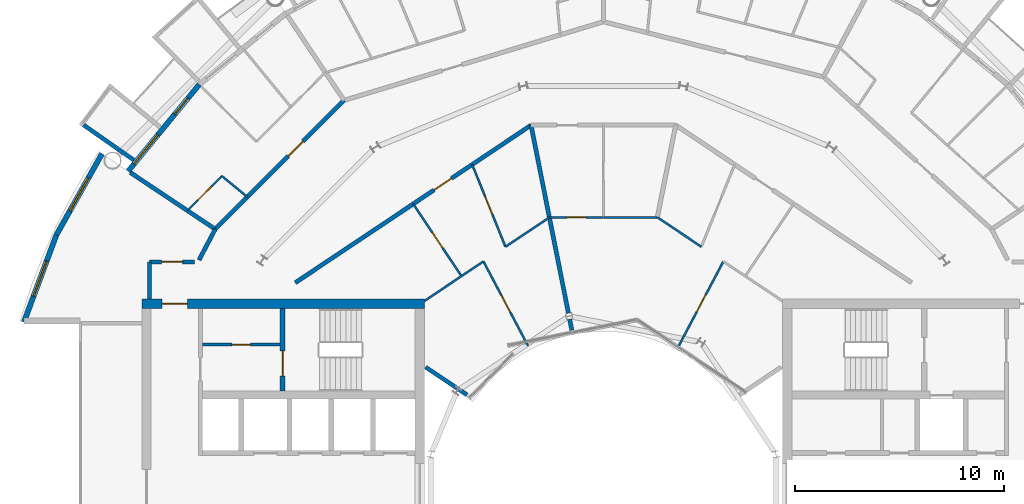
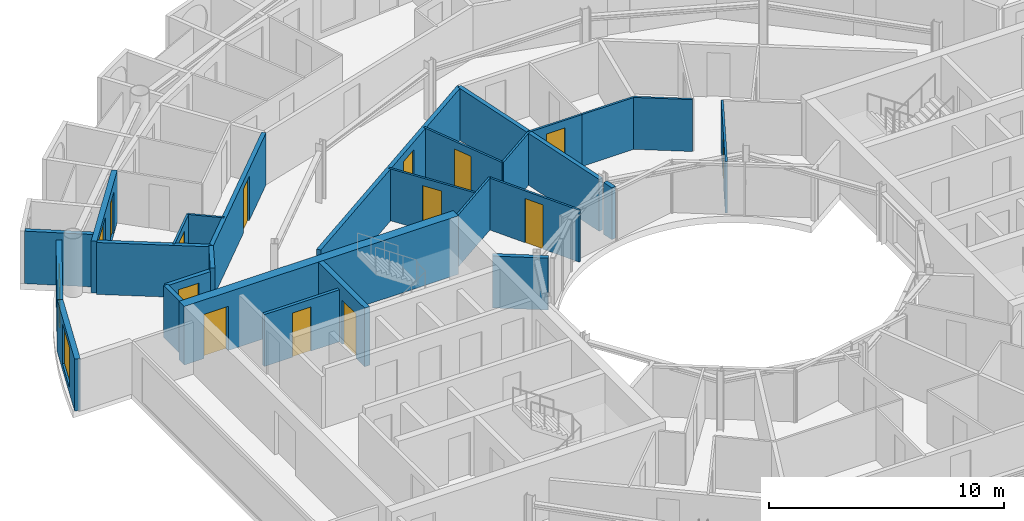
# One storey, part 20 of 28: 27 walls, 13 doors, 3 windows, 16 openings.
"""IFC4 building model written with IfcOpenShell, lengths in metres."""

from ifc_helpers import new_model, si_unit, direction, frame, frame_2d, origin, place, context, subcontext, project, spatial, rectangle, extrude, material, layer, layer_set, type_object, element, fill, save


model = new_model("IFC4")

# Units and contexts
model_context = context("Model", 3, precision=1e-05, world=origin(), true_north=direction((0.0, 1.0)))
body_context = subcontext(model_context, "Body", "Model", "MODEL_VIEW")
ifc_project = project(units=[si_unit("LENGTHUNIT", "METRE"), si_unit("AREAUNIT", "SQUARE_METRE"), si_unit("VOLUMEUNIT", "CUBIC_METRE"), si_unit("PLANEANGLEUNIT", "RADIAN"), si_unit("MASSUNIT", "GRAM", prefix="KILO")], contexts=[model_context])

# Site, building, storey
site_placement = place(None, origin())
site = spatial("IfcSite", under=ifc_project, at=site_placement, CompositionType="ELEMENT")
building_placement = place(site_placement, origin())
building = spatial("IfcBuilding", under=site, at=building_placement, Name="Maasbend Ring Residences", CompositionType="ELEMENT")
storey_placement = place(building_placement, frame((0.0, 0.0, 196.300048828125)))
storey = spatial("IfcBuildingStorey", under=building, at=storey_placement, Name="L56", CompositionType="ELEMENT", Elevation=196.300048828125)

# Wall, opening, door
ifc_material_1 = material(Name="Concrete C50/60", Category="concrete")
ifc_layer_1 = layer(ifc_material_1, 0.25)
ifc_layer_set_1 = layer_set([ifc_layer_1], Name="Concrete C50/60")
wall_type_1 = type_object("IfcWallType", Name="CORE WALL 250 C50/60", PredefinedType="SHEAR", material=ifc_layer_set_1)
wall_1_placement = place(storey_placement, frame((-15.324951171875, 8.60009765625, 0.0), z_axis=(0.0, 0.0, 1.0), x_axis=(0.0, -1.0, 0.0)))
wall_1 = element("IfcWall", 1, at=wall_1_placement, inside=storey, type_object=wall_type_1, Name="L56 core W wall STES", PredefinedType="SHEAR", context=body_context, shape_type="SweptSolid", body=[
    extrude(rectangle(XDim=3.9501953125, YDim=0.25, at=frame_2d((1.97509765625, 0.0))), origin(), (0.0, 0.0, 1.0), 3.050048828125),
])
opening_1_placement = place(wall_1_placement, frame((2.02490234375, 0.0, 0.0)))
opening_1 = element("IfcOpeningElement", 2, at=opening_1_placement, cuts=wall_1, Name="Opening D-W5610", PredefinedType="OPENING", context=body_context, shape_type="SweptSolid", body=[
    extrude(rectangle(XDim=1.199951171875, YDim=2.300048828125, at=frame_2d((0.60009765625, 1.14990234375))), frame((0.0, 0.135009765625, 0.0), z_axis=(0.0, -1.0, 0.0), x_axis=(1.0, 0.0, 0.0)), (0.0, 0.0, 1.0), 0.27001953125),
])
ifc_material_2 = material(Name="Steel, powder coated", Category="steel")
door_type_1 = type_object("IfcDoorType", Name="STAIR DOOR 1200 X 2300 FD60", OperationType="NOTDEFINED", PredefinedType="DOOR", material=ifc_material_2)
door_1_placement = place(opening_1_placement, origin())
door_1 = element("IfcDoor", 3, at=door_1_placement, inside=storey, type_object=door_type_1, Name="Stair door ST-W L56", OperationType="SINGLE_SWING_LEFT", OverallHeight=2.300048828125, OverallWidth=1.199951171875, PredefinedType="DOOR", context=body_context, shape_type="SweptSolid", body=[
    extrude(rectangle(XDim=1.199951171875, YDim=2.300048828125, at=frame_2d((0.60009765625, 1.14990234375))), frame((0.0, 0.02490234375, 0.0), z_axis=(0.0, -1.0, 0.0), x_axis=(1.0, 0.0, 0.0)), (0.0, 0.0, 1.0), 0.050048828125),
])
fill(opening_1, door_1)

ifc_material_3 = material(Name="Concrete C50/60", Category="concrete")
ifc_layer_2 = layer(ifc_material_3, 0.449951171875)
ifc_layer_set_2 = layer_set([ifc_layer_2], Name="Concrete C50/60")
wall_type_2 = type_object("IfcWallType", Name="CORE WALL 450 C50/60", PredefinedType="SHEAR", material=ifc_layer_set_2)
wall_2_placement = place(storey_placement, frame((-8.550048828125, 8.824951171875, 0.0), z_axis=(0.0, 0.0, 1.0), x_axis=(-1.0, 0.0, 0.0)))
wall_2 = element("IfcWall", 4, at=wall_2_placement, inside=storey, type_object=wall_type_2, Name="L56 core W wall PS", PredefinedType="SHEAR", context=body_context, shape_type="SweptSolid", body=[
    extrude(rectangle(XDim=13.5, YDim=0.449951171875, at=frame_2d((6.75, 0.0))), origin(), (0.0, 0.0, 1.0), 3.050048828125),
])
opening_2_placement = place(wall_2_placement, frame((11.324951171875, 0.0, 0.0)))
opening_2 = element("IfcOpeningElement", 5, at=opening_2_placement, cuts=wall_2, Name="Opening D-W5614", PredefinedType="OPENING", context=body_context, shape_type="SweptSolid", body=[
    extrude(rectangle(XDim=1.199951171875, YDim=2.300048828125, at=frame_2d((0.60009765625, 1.14990234375))), frame((0.0, 0.23486328125, 0.0), z_axis=(0.0, -1.0, 0.0), x_axis=(1.0, 0.0, 0.0)), (0.0, 0.0, 1.0), 0.469970703125),
])
ifc_material_4 = material(Name="Steel, powder coated", Category="steel")
door_type_2 = type_object("IfcDoorType", Name="CORRIDOR DOOR 1200 X 2300 FD30S", OperationType="NOTDEFINED", PredefinedType="DOOR", material=ifc_material_4)
door_2_placement = place(opening_2_placement, origin())
door_2 = element("IfcDoor", 6, at=door_2_placement, inside=storey, type_object=door_type_2, Name="Corridor door L56", OperationType="SINGLE_SWING_LEFT", OverallHeight=2.300048828125, OverallWidth=1.199951171875, PredefinedType="DOOR", context=body_context, shape_type="SweptSolid", body=[
    extrude(rectangle(XDim=1.199951171875, YDim=2.300048828125, at=frame_2d((0.60009765625, 1.14990234375))), frame((0.0, 0.02490234375, 0.0), z_axis=(0.0, -1.0, 0.0), x_axis=(1.0, 0.0, 0.0)), (0.0, 0.0, 1.0), 0.050048828125),
])
fill(opening_2, door_2)

ifc_material_5 = material(Name="Concrete C30/37", Category="concrete")
ifc_layer_3 = layer(ifc_material_5, 0.199951171875)
ifc_layer_set_3 = layer_set([ifc_layer_3], Name="Concrete C30/37")
wall_type_3 = type_object("IfcWallType", Name="CORRIDOR WALL 200 CONCRETE", PredefinedType="PARTITIONING", material=ifc_layer_set_3)
wall_3_placement = place(storey_placement, frame((-21.675048828125, 10.824951171875, 0.0), z_axis=(0.0, 0.0, 1.0), x_axis=(1.0, 0.0, 0.0)))
wall_3 = element("IfcWall", 7, at=wall_3_placement, inside=storey, type_object=wall_type_3, Name="U-L56-w092", PredefinedType="PARTITIONING", context=body_context, shape_type="SweptSolid", body=[
    extrude(rectangle(XDim=2.152099609375, YDim=0.199951171875, at=frame_2d((1.076171875, 0.0))), origin(), (0.0, 0.0, 1.0), 2.699951171875),
])
opening_3_placement = place(wall_3_placement, frame((0.575927734375, 0.0, 0.0)))
opening_3 = element("IfcOpeningElement", 8, at=opening_3_placement, cuts=wall_3, Name="Opening D-5662", PredefinedType="OPENING", context=body_context, shape_type="SweptSolid", body=[
    extrude(rectangle(XDim=1.0, YDim=2.300048828125, at=frame_2d((0.5, 1.14990234375))), frame((0.0, 0.10986328125, 0.0), z_axis=(0.0, -1.0, 0.0), x_axis=(1.0, 0.0, 0.0)), (0.0, 0.0, 1.0), 0.219970703125),
])
ifc_material_6 = material(Name="Timber, painted", Category="wood")
door_type_3 = type_object("IfcDoorType", Name="ROOM DOOR 1000 X 2300", OperationType="NOTDEFINED", PredefinedType="DOOR", material=ifc_material_6)
door_3_placement = place(opening_3_placement, origin())
door_3 = element("IfcDoor", 9, at=door_3_placement, inside=storey, type_object=door_type_3, Name="D-5662", OperationType="SINGLE_SWING_LEFT", OverallHeight=2.300048828125, OverallWidth=1.0, PredefinedType="DOOR", context=body_context, shape_type="SweptSolid", body=[
    extrude(rectangle(XDim=1.0, YDim=2.300048828125, at=frame_2d((0.5, 1.14990234375))), frame((0.0, 0.02490234375, 0.0), z_axis=(0.0, -1.0, 0.0), x_axis=(1.0, 0.0, 0.0)), (0.0, 0.0, 1.0), 0.050048828125),
])
fill(opening_3, door_3)

wall_4_placement = place(storey_placement, frame((-14.718017578125, 9.83203125, 0.0), z_axis=(0.0, 0.0, 1.0), x_axis=(0.831437137577, 0.555618831806, 0.0)))
wall_4 = element("IfcWall", 10, at=wall_4_placement, inside=storey, type_object=wall_type_3, Name="U-L56-w099", PredefinedType="PARTITIONING", context=body_context, shape_type="SweptSolid", body=[
    extrude(rectangle(XDim=13.549072265625, YDim=0.199951171875, at=frame_2d((6.7744140625, 0.0))), origin(), (0.0, 0.0, 1.0), 2.699951171875),
])
opening_4_placement = place(wall_4_placement, frame((7.968017578125, 0.0, 0.0)))
opening_4 = element("IfcOpeningElement", 11, at=opening_4_placement, cuts=wall_4, Name="Opening D-5627", PredefinedType="OPENING", context=body_context, shape_type="SweptSolid", body=[
    extrude(rectangle(XDim=1.0, YDim=2.300048828125, at=frame_2d((0.5, 1.14990234375))), frame((0.0, 0.10986328125, 0.0), z_axis=(0.0, -1.0, 0.0), x_axis=(1.0, 0.0, 0.0)), (0.0, 0.0, 1.0), 0.219970703125),
])
ifc_material_7 = material(Name="Timber, fire-rated, painted", Category="wood")
door_type_4 = type_object("IfcDoorType", Name="FLAT ENTRANCE DOOR 1000 X 2300 FIRE-RATED", OperationType="NOTDEFINED", PredefinedType="DOOR", material=ifc_material_7)
door_4_placement = place(opening_4_placement, origin())
door_4 = element("IfcDoor", 12, at=door_4_placement, inside=storey, type_object=door_type_4, Name="D-5627", OperationType="SINGLE_SWING_RIGHT", OverallHeight=2.300048828125, OverallWidth=1.0, PredefinedType="DOOR", context=body_context, shape_type="SweptSolid", body=[
    extrude(rectangle(XDim=1.0, YDim=2.300048828125, at=frame_2d((0.5, 1.14990234375))), frame((0.0, 0.02490234375, 0.0), z_axis=(0.0, -1.0, 0.0), x_axis=(1.0, 0.0, 0.0)), (0.0, 0.0, 1.0), 0.050048828125),
])
fill(opening_4, door_4)

# Wall
wall_5_placement = place(storey_placement, frame((-21.675048828125, 9.050048828125, 0.0), z_axis=(0.0, 0.0, 1.0), x_axis=(0.0, 1.0, 0.0)))
element("IfcWall", 13, at=wall_5_placement, inside=storey, type_object=wall_type_3, Name="U-L56-w106", PredefinedType="PARTITIONING", context=body_context, shape_type="SweptSolid", body=[
    extrude(rectangle(XDim=1.77490234375, YDim=0.199951171875, at=frame_2d((0.887451171875, 0.0))), origin(), (0.0, 0.0, 1.0), 2.699951171875),
])

# Wall, opening, door
wall_6_placement = place(storey_placement, frame((-18.5419921875, 12.388916015625, 0.0), z_axis=(0.0, 0.0, 1.0), x_axis=(0.707106781187, 0.707106781187, 0.0)))
wall_6 = element("IfcWall", 14, at=wall_6_placement, inside=storey, type_object=wall_type_3, Name="U-L56-w107", PredefinedType="PARTITIONING", context=body_context, shape_type="SweptSolid", body=[
    extrude(rectangle(XDim=8.70166015625, YDim=0.199951171875, at=frame_2d((4.350830078125, 0.0))), origin(), (0.0, 0.0, 1.0), 2.699951171875),
])
opening_5_placement = place(wall_6_placement, frame((4.93798828125, 0.0, 0.0)))
opening_5 = element("IfcOpeningElement", 15, at=opening_5_placement, cuts=wall_6, Name="Opening D-5616", PredefinedType="OPENING", context=body_context, shape_type="SweptSolid", body=[
    extrude(rectangle(XDim=1.0, YDim=2.300048828125, at=frame_2d((0.5, 1.14990234375))), frame((0.0, 0.10986328125, 0.0), z_axis=(0.0, -1.0, 0.0), x_axis=(1.0, 0.0, 0.0)), (0.0, 0.0, 1.0), 0.219970703125),
])
door_5_placement = place(opening_5_placement, origin())
door_5 = element("IfcDoor", 16, at=door_5_placement, inside=storey, type_object=door_type_4, Name="D-5616", OperationType="SINGLE_SWING_RIGHT", OverallHeight=2.300048828125, OverallWidth=1.0, PredefinedType="DOOR", context=body_context, shape_type="SweptSolid", body=[
    extrude(rectangle(XDim=1.0, YDim=2.300048828125, at=frame_2d((0.5, 1.14990234375))), frame((0.0, 0.02490234375, 0.0), z_axis=(0.0, -1.0, 0.0), x_axis=(1.0, 0.0, 0.0)), (0.0, 0.0, 1.0), 0.050048828125),
])
fill(opening_5, door_5)

# Walls
wall_7_placement = place(storey_placement, frame((-19.31689453125, 10.9150390625, 0.0), z_axis=(0.0, 0.0, 1.0), x_axis=(0.465359652486, 0.885121683068, 0.0)))
element("IfcWall", 17, at=wall_7_placement, inside=storey, type_object=wall_type_3, Name="U-L56-w108", PredefinedType="PARTITIONING", context=body_context, shape_type="SweptSolid", body=[
    extrude(rectangle(XDim=1.665283203125, YDim=0.199951171875, at=frame_2d((0.83251953125, 0.0))), origin(), (0.0, 0.0, 1.0), 2.699951171875),
])
ifc_material_8 = material(Name="Pale anodised aluminium panel", Category="aluminium")
ifc_layer_4 = layer(ifc_material_8, 0.199951171875)
ifc_layer_set_4 = layer_set([ifc_layer_4], Name="EW-BOX")
wall_type_4 = type_object("IfcWallType", Name="EW-BOX", PredefinedType="SOLIDWALL", material=ifc_layer_set_4)
wall_8_placement = place(storey_placement, frame((-22.43310546875, 15.68798828125, -0.030029296875), z_axis=(0.0, 0.0, 1.0), x_axis=(-0.819373043115, 0.573260687834, 0.0)))
element("IfcWall", 18, at=wall_8_placement, inside=storey, type_object=wall_type_4, Name="Box side wall N20 right", PredefinedType="SOLIDWALL", context=body_context, shape_type="SweptSolid", body=[
    extrude(rectangle(XDim=2.92529296875, YDim=0.199951171875, at=frame_2d((1.462646484375, 0.0))), origin(), (0.0, 0.0, 1.0), 2.72998046875),
])

# Wall, openings, door, window
ifc_material_9 = material(Name="Aluminium clad insulated panel", Category="aluminium")
ifc_layer_5 = layer(ifc_material_9, 0.25)
ifc_layer_set_5 = layer_set([ifc_layer_5], Name="EW-GL")
wall_type_5 = type_object("IfcWallType", Name="EW-GL", PredefinedType="SOLIDWALL", material=ifc_layer_set_5)
wall_9_placement = place(storey_placement, frame((-19.303955078125, 19.303955078125, 0.0), z_axis=(0.0, 0.0, 1.0), x_axis=(-0.634382322723, -0.773019449054, 0.0)))
wall_9 = element("IfcWall", 19, at=wall_9_placement, inside=storey, type_object=wall_type_5, Name="External wall N10", PredefinedType="SOLIDWALL", context=body_context, shape_type="SweptSolid", body=[
    extrude(rectangle(XDim=5.351806640625, YDim=0.25, at=frame_2d((2.67578125, 0.0))), origin(), (0.0, 0.0, 1.0), 2.699951171875),
])
opening_6_placement = place(wall_9_placement, frame((0.841064453125, 0.0, 0.0)))
opening_6 = element("IfcOpeningElement", 20, at=opening_6_placement, cuts=wall_9, Name="Opening D-LG", PredefinedType="OPENING", context=body_context, shape_type="SweptSolid", body=[
    extrude(rectangle(XDim=1.0, YDim=2.199951171875, at=frame_2d((0.5, 1.10009765625))), frame((0.0, 0.135009765625, 0.0), z_axis=(0.0, -1.0, 0.0), x_axis=(1.0, 0.0, 0.0)), (0.0, 0.0, 1.0), 0.27001953125),
])
opening_7_placement = place(wall_9_placement, frame((3.110595703125, 0.0, 0.300048828125)))
opening_7 = element("IfcOpeningElement", 21, at=opening_7_placement, cuts=wall_9, Name="Opening W-BX", PredefinedType="OPENING", context=body_context, shape_type="SweptSolid", body=[
    extrude(rectangle(XDim=1.800048828125, YDim=2.10009765625, at=frame_2d((0.89990234375, 1.050048828125))), frame((0.0, 0.135009765625, 0.0), z_axis=(0.0, -1.0, 0.0), x_axis=(1.0, 0.0, 0.0)), (0.0, 0.0, 1.0), 0.27001953125),
])
ifc_material_10 = material(Name="Aluminium and clear glass", Category="aluminium")
door_type_5 = type_object("IfcDoorType", Name="D-LG", OperationType="SINGLE_SWING_LEFT", PredefinedType="DOOR", material=ifc_material_10)
door_6_placement = place(opening_6_placement, origin())
door_6 = element("IfcDoor", 22, at=door_6_placement, inside=storey, type_object=door_type_5, Name="Loggia door N19", OperationType="SINGLE_SWING_LEFT", OverallHeight=2.199951171875, OverallWidth=1.0, PredefinedType="DOOR", context=body_context, shape_type="SweptSolid", body=[
    extrude(rectangle(XDim=1.0, YDim=2.199951171875, at=frame_2d((0.5, 1.10009765625))), frame((0.0, 0.02490234375, 0.0), z_axis=(0.0, -1.0, 0.0), x_axis=(1.0, 0.0, 0.0)), (0.0, 0.0, 1.0), 0.050048828125),
])
fill(opening_6, door_6)
ifc_material_11 = material(Name="Aluminium and clear glass", Category="aluminium")
window_type = type_object("IfcWindowType", Name="W-BX", PartitioningType="DOUBLE_PANEL_VERTICAL", PredefinedType="WINDOW", material=ifc_material_11)
window_1_placement = place(opening_7_placement, origin())
window_1 = element("IfcWindow", 23, at=window_1_placement, inside=storey, type_object=window_type, Name="Window N20 room to box", OverallHeight=2.10009765625, OverallWidth=1.800048828125, PartitioningType="SINGLE_PANEL", PredefinedType="WINDOW", context=body_context, shape_type="SweptSolid", body=[
    extrude(rectangle(XDim=1.800048828125, YDim=2.10009765625, at=frame_2d((0.89990234375, 1.050048828125))), frame((0.0, 0.030029296875, 0.0), z_axis=(0.0, -1.0, 0.0), x_axis=(1.0, 0.0, 0.0)), (0.0, 0.0, 1.0), 0.06005859375),
])
fill(opening_7, window_1)

# Wall, opening, window
ifc_material_12 = material(Name="Aluminium clad insulated panel", Category="aluminium")
ifc_layer_6 = layer(ifc_material_12, 0.25)
ifc_layer_set_6 = layer_set([ifc_layer_6], Name="EW-HORN")
wall_type_6 = type_object("IfcWallType", Name="EW-HORN", PredefinedType="SOLIDWALL", material=ifc_layer_set_6)
wall_10_placement = place(storey_placement, frame((-23.946044921875, 16.0, 0.0), z_axis=(0.0, 0.0, 1.0), x_axis=(-0.489696356642, -0.871893042919, 0.0)))
wall_10 = element("IfcWall", 24, at=wall_10_placement, inside=storey, type_object=wall_type_6, Name="Horn wall 4.1", PredefinedType="SOLIDWALL", context=body_context, shape_type="SweptSolid", body=[
    extrude(rectangle(XDim=4.45361328125, YDim=0.25, at=frame_2d((2.226806640625, 0.0))), origin(), (0.0, 0.0, 1.0), 2.699951171875),
])
opening_8_placement = place(wall_10_placement, frame((1.32666015625, 0.0, 0.300048828125)))
opening_8 = element("IfcOpeningElement", 25, at=opening_8_placement, cuts=wall_10, Name="Opening W-BX", PredefinedType="OPENING", context=body_context, shape_type="SweptSolid", body=[
    extrude(rectangle(XDim=1.800048828125, YDim=2.10009765625, at=frame_2d((0.89990234375, 1.050048828125))), frame((0.0, 0.135009765625, 0.0), z_axis=(0.0, -1.0, 0.0), x_axis=(1.0, 0.0, 0.0)), (0.0, 0.0, 1.0), 0.27001953125),
])
window_2_placement = place(opening_8_placement, origin())
window_2 = element("IfcWindow", 26, at=window_2_placement, inside=storey, type_object=window_type, Name="Horn window 4.1", OverallHeight=2.10009765625, OverallWidth=1.800048828125, PartitioningType="SINGLE_PANEL", PredefinedType="WINDOW", context=body_context, shape_type="SweptSolid", body=[
    extrude(rectangle(XDim=1.800048828125, YDim=2.10009765625, at=frame_2d((0.89990234375, 1.050048828125))), frame((0.0, 0.030029296875, 0.0), z_axis=(0.0, -1.0, 0.0), x_axis=(1.0, 0.0, 0.0)), (0.0, 0.0, 1.0), 0.06005859375),
])
fill(opening_8, window_2)

wall_11_placement = place(storey_placement, frame((-26.126953125, 12.116943359375, 0.0), z_axis=(0.0, 0.0, 1.0), x_axis=(-0.349247811493, -0.937030397675, 0.0)))
wall_11 = element("IfcWall", 27, at=wall_11_placement, inside=storey, type_object=wall_type_6, Name="Horn wall 4.2", PredefinedType="SOLIDWALL", context=body_context, shape_type="SweptSolid", body=[
    extrude(rectangle(XDim=4.4521484375, YDim=0.25, at=frame_2d((2.22607421875, 0.0))), origin(), (0.0, 0.0, 1.0), 2.699951171875),
])
opening_9_placement = place(wall_11_placement, frame((1.32666015625, 0.0, 0.300048828125)))
opening_9 = element("IfcOpeningElement", 28, at=opening_9_placement, cuts=wall_11, Name="Opening W-BX", PredefinedType="OPENING", context=body_context, shape_type="SweptSolid", body=[
    extrude(rectangle(XDim=1.800048828125, YDim=2.10009765625, at=frame_2d((0.89990234375, 1.050048828125))), frame((0.0, 0.135009765625, 0.0), z_axis=(0.0, -1.0, 0.0), x_axis=(1.0, 0.0, 0.0)), (0.0, 0.0, 1.0), 0.27001953125),
])
window_3_placement = place(opening_9_placement, origin())
window_3 = element("IfcWindow", 29, at=window_3_placement, inside=storey, type_object=window_type, Name="Horn window 4.2", OverallHeight=2.10009765625, OverallWidth=1.800048828125, PartitioningType="SINGLE_PANEL", PredefinedType="WINDOW", context=body_context, shape_type="SweptSolid", body=[
    extrude(rectangle(XDim=1.800048828125, YDim=2.10009765625, at=frame_2d((0.89990234375, 1.050048828125))), frame((0.0, 0.030029296875, 0.0), z_axis=(0.0, -1.0, 0.0), x_axis=(1.0, 0.0, 0.0)), (0.0, 0.0, 1.0), 0.06005859375),
])
fill(opening_9, window_3)

# Wall
ifc_material_13 = material(Name="Gypsum board on steel studs", Category="steel")
ifc_layer_7 = layer(ifc_material_13, 0.10009765625)
ifc_layer_set_7 = layer_set([ifc_layer_7], Name="PARTITION 100 GYPSUM")
wall_type_7 = type_object("IfcWallType", Name="PARTITION 100 GYPSUM", PredefinedType="PARTITIONING", material=ifc_layer_set_7)
wall_12_placement = place(storey_placement, frame((-18.22412109375, 14.927001953125, 0.0), z_axis=(0.0, 0.0, 1.0), x_axis=(0.773446828454, -0.633861186344, 0.0)))
element("IfcWall", 30, at=wall_12_placement, inside=storey, type_object=wall_type_7, Name="U-L56-w030", PredefinedType="PARTITIONING", context=body_context, shape_type="SweptSolid", body=[
    extrude(rectangle(XDim=1.57763671875, YDim=0.10009765625, at=frame_2d((0.788818359375, 0.0))), origin(), (0.0, 0.0, 1.0), 2.699951171875),
])

# Wall, opening, door
wall_13_placement = place(storey_placement, frame((-9.0849609375, 13.596923828125, 0.0), z_axis=(0.0, 0.0, 1.0), x_axis=(0.555528237031, -0.831497671591, 0.0)))
wall_13 = element("IfcWall", 31, at=wall_13_placement, inside=storey, type_object=wall_type_7, Name="U-L56-w047", PredefinedType="PARTITIONING", context=body_context, shape_type="SweptSolid", body=[
    extrude(rectangle(XDim=4.149169921875, YDim=0.10009765625, at=frame_2d((2.07470703125, 0.0))), origin(), (0.0, 0.0, 1.0), 2.699951171875),
])
opening_10_placement = place(wall_13_placement, frame((1.625, 0.0, 0.0)))
opening_10 = element("IfcOpeningElement", 32, at=opening_10_placement, cuts=wall_13, Name="Opening D-5629", PredefinedType="OPENING", context=body_context, shape_type="SweptSolid", body=[
    extrude(rectangle(XDim=0.89990234375, YDim=2.300048828125, at=frame_2d((0.449951171875, 1.14990234375))), frame((0.0, 0.06005859375, 0.0), z_axis=(0.0, -1.0, 0.0), x_axis=(1.0, 0.0, 0.0)), (0.0, 0.0, 1.0), 0.1201171875),
])
ifc_material_14 = material(Name="Timber, painted", Category="wood")
door_type_6 = type_object("IfcDoorType", Name="INTERNAL DOOR 900 X 2300", OperationType="NOTDEFINED", PredefinedType="DOOR", material=ifc_material_14)
door_7_placement = place(opening_10_placement, origin())
door_7 = element("IfcDoor", 33, at=door_7_placement, inside=storey, type_object=door_type_6, Name="D-5629", OperationType="SINGLE_SWING_LEFT", OverallHeight=2.300048828125, OverallWidth=0.89990234375, PredefinedType="DOOR", context=body_context, shape_type="SweptSolid", body=[
    extrude(rectangle(XDim=0.89990234375, YDim=2.300048828125, at=frame_2d((0.449951171875, 1.14990234375))), frame((0.0, 0.02490234375, 0.0), z_axis=(0.0, -1.0, 0.0), x_axis=(1.0, 0.0, 0.0)), (0.0, 0.0, 1.0), 0.050048828125),
])
fill(opening_10, door_7)

wall_14_placement = place(storey_placement, frame((-6.26904296875, 15.47802734375, 0.0), z_axis=(0.0, 0.0, 1.0), x_axis=(0.375509828455, -0.926818411952, 0.0)))
wall_14 = element("IfcWall", 34, at=wall_14_placement, inside=storey, type_object=wall_type_7, Name="U-L56-w052", PredefinedType="PARTITIONING", context=body_context, shape_type="SweptSolid", body=[
    extrude(rectangle(XDim=4.237060546875, YDim=0.10009765625, at=frame_2d((2.11865234375, 0.0))), origin(), (0.0, 0.0, 1.0), 2.699951171875),
])
opening_11_placement = place(wall_14_placement, frame((1.6689453125, 0.0, 0.0)))
opening_11 = element("IfcOpeningElement", 35, at=opening_11_placement, cuts=wall_14, Name="Opening D-5628", PredefinedType="OPENING", context=body_context, shape_type="SweptSolid", body=[
    extrude(rectangle(XDim=0.89990234375, YDim=2.300048828125, at=frame_2d((0.449951171875, 1.14990234375))), frame((0.0, 0.06005859375, 0.0), z_axis=(0.0, -1.0, 0.0), x_axis=(1.0, 0.0, 0.0)), (0.0, 0.0, 1.0), 0.1201171875),
])
door_8_placement = place(opening_11_placement, origin())
door_8 = element("IfcDoor", 36, at=door_8_placement, inside=storey, type_object=door_type_6, Name="D-5628", OperationType="SINGLE_SWING_LEFT", OverallHeight=2.300048828125, OverallWidth=0.89990234375, PredefinedType="DOOR", context=body_context, shape_type="SweptSolid", body=[
    extrude(rectangle(XDim=0.89990234375, YDim=2.300048828125, at=frame_2d((0.449951171875, 1.14990234375))), frame((0.0, 0.02490234375, 0.0), z_axis=(0.0, -1.0, 0.0), x_axis=(1.0, 0.0, 0.0)), (0.0, 0.0, 1.0), 0.050048828125),
])
fill(opening_11, door_8)

wall_15_placement = place(storey_placement, frame((-5.72900390625, 10.84912109375, 0.0), z_axis=(0.0, 0.0, 1.0), x_axis=(0.466962677975, -0.884277025246, 0.0)))
wall_15 = element("IfcWall", 37, at=wall_15_placement, inside=storey, type_object=wall_type_7, Name="U-L56-w053", PredefinedType="PARTITIONING", context=body_context, shape_type="SweptSolid", body=[
    extrude(rectangle(XDim=4.548583984375, YDim=0.10009765625, at=frame_2d((2.2744140625, 0.0))), origin(), (0.0, 0.0, 1.0), 2.699951171875),
])
opening_12_placement = place(wall_15_placement, frame((1.823974609375, 0.0, 0.0)))
opening_12 = element("IfcOpeningElement", 38, at=opening_12_placement, cuts=wall_15, Name="Opening D-5630", PredefinedType="OPENING", context=body_context, shape_type="SweptSolid", body=[
    extrude(rectangle(XDim=0.89990234375, YDim=2.300048828125, at=frame_2d((0.449951171875, 1.14990234375))), frame((0.0, 0.06005859375, 0.0), z_axis=(0.0, -1.0, 0.0), x_axis=(1.0, 0.0, 0.0)), (0.0, 0.0, 1.0), 0.1201171875),
])
door_9_placement = place(opening_12_placement, origin())
door_9 = element("IfcDoor", 39, at=door_9_placement, inside=storey, type_object=door_type_6, Name="D-5630", OperationType="SINGLE_SWING_RIGHT", OverallHeight=2.300048828125, OverallWidth=0.89990234375, PredefinedType="DOOR", context=body_context, shape_type="SweptSolid", body=[
    extrude(rectangle(XDim=0.89990234375, YDim=2.300048828125, at=frame_2d((0.449951171875, 1.14990234375))), frame((0.0, 0.02490234375, 0.0), z_axis=(0.0, -1.0, 0.0), x_axis=(1.0, 0.0, 0.0)), (0.0, 0.0, 1.0), 0.050048828125),
])
fill(opening_12, door_9)

wall_16_placement = place(storey_placement, frame((3.60498046875, 6.826904296875, 0.0), z_axis=(0.0, 0.0, 1.0), x_axis=(0.466962677975, 0.884277025246, 0.0)))
wall_16 = element("IfcWall", 40, at=wall_16_placement, inside=storey, type_object=wall_type_7, Name="U-L56-w067", PredefinedType="PARTITIONING", context=body_context, shape_type="SweptSolid", body=[
    extrude(rectangle(XDim=4.548583984375, YDim=0.10009765625, at=frame_2d((2.2744140625, 0.0))), origin(), (0.0, 0.0, 1.0), 2.699951171875),
])
opening_13_placement = place(wall_16_placement, frame((1.823974609375, 0.0, 0.0)))
opening_13 = element("IfcOpeningElement", 41, at=opening_13_placement, cuts=wall_16, Name="Opening D-5623", PredefinedType="OPENING", context=body_context, shape_type="SweptSolid", body=[
    extrude(rectangle(XDim=0.89990234375, YDim=2.300048828125, at=frame_2d((0.449951171875, 1.14990234375))), frame((0.0, 0.06005859375, 0.0), z_axis=(0.0, -1.0, 0.0), x_axis=(1.0, 0.0, 0.0)), (0.0, 0.0, 1.0), 0.1201171875),
])
door_10_placement = place(opening_13_placement, origin())
door_10 = element("IfcDoor", 42, at=door_10_placement, inside=storey, type_object=door_type_6, Name="D-5623", OperationType="SINGLE_SWING_LEFT", OverallHeight=2.300048828125, OverallWidth=0.89990234375, PredefinedType="DOOR", context=body_context, shape_type="SweptSolid", body=[
    extrude(rectangle(XDim=0.89990234375, YDim=2.300048828125, at=frame_2d((0.449951171875, 1.14990234375))), frame((0.0, 0.02490234375, 0.0), z_axis=(0.0, -1.0, 0.0), x_axis=(1.0, 0.0, 0.0)), (0.0, 0.0, 1.0), 0.050048828125),
])
fill(opening_13, door_10)

# Walls
wall_17_placement = place(storey_placement, frame((-8.550048828125, 8.962890625, 0.0), z_axis=(0.0, 0.0, 1.0), x_axis=(0.83129689803, 0.555828631257, 0.0)))
element("IfcWall", 43, at=wall_17_placement, inside=storey, type_object=wall_type_7, Name="U-L56-w094", PredefinedType="PARTITIONING", context=body_context, shape_type="SweptSolid", body=[
    extrude(rectangle(XDim=3.3935546875, YDim=0.10009765625, at=frame_2d((1.69677734375, 0.0))), origin(), (0.0, 0.0, 1.0), 2.699951171875),
])
for number, where, z_axis, x_axis, name in (
    (44, (-4.677978515625, 11.551025390625, 0.0), (0.0, 0.0, 1.0), (0.831440395268, 0.555613956912, 0.0), "U-L56-w095"),
    (45, (2.576904296875, 12.955078125, 0.0), (0.0, 0.0, 1.0), (0.831440395268, -0.555613956912, 0.0), "U-L56-w096"),
):
    element("IfcWall", number, at=place(storey_placement, frame(where, z_axis=z_axis, x_axis=x_axis)), inside=storey, type_object=wall_type_7, Name=name, PredefinedType="PARTITIONING", context=body_context, shape_type="SweptSolid", body=[
        extrude(rectangle(XDim=2.527099609375, YDim=0.10009765625, at=frame_2d((1.263671875, 0.0))), origin(), (0.0, 0.0, 1.0), 2.699951171875),
    ])

# Wall, opening, door
wall_18_placement = place(storey_placement, frame((-2.576904296875, 12.955078125, 0.0), z_axis=(0.0, 0.0, 1.0), x_axis=(1.0, 0.0, 0.0)))
wall_18 = element("IfcWall", 46, at=wall_18_placement, inside=storey, type_object=wall_type_7, Name="U-L56-w098", PredefinedType="PARTITIONING", context=body_context, shape_type="SweptSolid", body=[
    extrude(rectangle(XDim=2.576904296875, YDim=0.10009765625, at=frame_2d((1.28857421875, 0.0))), origin(), (0.0, 0.0, 1.0), 2.699951171875),
])
opening_14_placement = place(wall_18_placement, frame((0.839111328125, 0.0, 0.0)))
opening_14 = element("IfcOpeningElement", 47, at=opening_14_placement, cuts=wall_18, Name="Opening D-5626", PredefinedType="OPENING", context=body_context, shape_type="SweptSolid", body=[
    extrude(rectangle(XDim=0.89990234375, YDim=2.300048828125, at=frame_2d((0.449951171875, 1.14990234375))), frame((0.0, 0.06005859375, 0.0), z_axis=(0.0, -1.0, 0.0), x_axis=(1.0, 0.0, 0.0)), (0.0, 0.0, 1.0), 0.1201171875),
])
door_11_placement = place(opening_14_placement, origin())
door_11 = element("IfcDoor", 48, at=door_11_placement, inside=storey, type_object=door_type_6, Name="D-5626", OperationType="SINGLE_SWING_RIGHT", OverallHeight=2.300048828125, OverallWidth=0.89990234375, PredefinedType="DOOR", context=body_context, shape_type="SweptSolid", body=[
    extrude(rectangle(XDim=0.89990234375, YDim=2.300048828125, at=frame_2d((0.449951171875, 1.14990234375))), frame((0.0, 0.02490234375, 0.0), z_axis=(0.0, -1.0, 0.0), x_axis=(1.0, 0.0, 0.0)), (0.0, 0.0, 1.0), 0.050048828125),
])
fill(opening_14, door_11)

wall_19_placement = place(storey_placement, frame((-19.866943359375, 13.282958984375, 0.0), z_axis=(0.0, 0.0, 1.0), x_axis=(0.707106781187, 0.707106781187, 0.0)))
wall_19 = element("IfcWall", 49, at=wall_19_placement, inside=storey, type_object=wall_type_7, Name="U-L56-w116", PredefinedType="PARTITIONING", context=body_context, shape_type="SweptSolid", body=[
    extrude(rectangle(XDim=2.33203125, YDim=0.10009765625, at=frame_2d((1.166015625, 0.0))), origin(), (0.0, 0.0, 1.0), 2.699951171875),
])
opening_15_placement = place(wall_19_placement, frame((0.708984375, 0.0, 0.0)))
opening_15 = element("IfcOpeningElement", 50, at=opening_15_placement, cuts=wall_19, Name="Opening D-5617", PredefinedType="OPENING", context=body_context, shape_type="SweptSolid", body=[
    extrude(rectangle(XDim=0.89990234375, YDim=2.300048828125, at=frame_2d((0.449951171875, 1.14990234375))), frame((0.0, 0.06005859375, 0.0), z_axis=(0.0, -1.0, 0.0), x_axis=(1.0, 0.0, 0.0)), (0.0, 0.0, 1.0), 0.1201171875),
])
door_12_placement = place(opening_15_placement, origin())
door_12 = element("IfcDoor", 51, at=door_12_placement, inside=storey, type_object=door_type_6, Name="D-5617", OperationType="SINGLE_SWING_LEFT", OverallHeight=2.300048828125, OverallWidth=0.89990234375, PredefinedType="DOOR", context=body_context, shape_type="SweptSolid", body=[
    extrude(rectangle(XDim=0.89990234375, YDim=2.300048828125, at=frame_2d((0.449951171875, 1.14990234375))), frame((0.0, 0.02490234375, 0.0), z_axis=(0.0, -1.0, 0.0), x_axis=(1.0, 0.0, 0.0)), (0.0, 0.0, 1.0), 0.050048828125),
])
fill(opening_15, door_12)

# Wall
wall_20_placement = place(storey_placement, frame((2.556884765625, 12.955078125, 0.0), z_axis=(0.0, 0.0, 1.0), x_axis=(-1.0, 0.0, 0.0)))
element("IfcWall", 52, at=wall_20_placement, inside=storey, type_object=wall_type_7, Name="U-L56-w118", PredefinedType="PARTITIONING", context=body_context, shape_type="SweptSolid", body=[
    extrude(rectangle(XDim=2.536865234375, YDim=0.10009765625, at=frame_2d((1.2685546875, 0.0))), origin(), (0.0, 0.0, 1.0), 2.699951171875),
])

# Wall, opening, door
ifc_material_15 = material(Name="Gypsum board on steel studs", Category="steel")
ifc_layer_8 = layer(ifc_material_15, 0.14990234375)
ifc_layer_set_8 = layer_set([ifc_layer_8], Name="PARTITION 150 EI 60")
wall_type_8 = type_object("IfcWallType", Name="PARTITION 150 EI 60", PredefinedType="PARTITIONING", material=ifc_layer_set_8)
wall_21_placement = place(storey_placement, frame((-15.449951171875, 6.875, 0.0), z_axis=(0.0, 0.0, 1.0), x_axis=(-1.0, 0.0, 0.0)))
wall_21 = element("IfcWall", 53, at=wall_21_placement, inside=storey, type_object=wall_type_8, Name="L56 core W wall RHS", PredefinedType="PARTITIONING", context=body_context, shape_type="SweptSolid", body=[
    extrude(rectangle(XDim=3.699951171875, YDim=0.14990234375, at=frame_2d((1.85009765625, 0.0))), origin(), (0.0, 0.0, 1.0), 2.699951171875),
])
opening_16_placement = place(wall_21_placement, frame((1.39990234375, 0.0, 0.0)))
opening_16 = element("IfcOpeningElement", 54, at=opening_16_placement, cuts=wall_21, Name="Opening D-W5608", PredefinedType="OPENING", context=body_context, shape_type="SweptSolid", body=[
    extrude(rectangle(XDim=0.89990234375, YDim=2.300048828125, at=frame_2d((0.449951171875, 1.14990234375))), frame((0.0, 0.0849609375, 0.0), z_axis=(0.0, -1.0, 0.0), x_axis=(1.0, 0.0, 0.0)), (0.0, 0.0, 1.0), 0.169921875),
])
ifc_material_16 = material(Name="Steel, powder coated", Category="steel")
door_type_7 = type_object("IfcDoorType", Name="RISER DOOR 900 X 2300 FD60", OperationType="NOTDEFINED", PredefinedType="DOOR", material=ifc_material_16)
door_13_placement = place(opening_16_placement, origin())
door_13 = element("IfcDoor", 55, at=door_13_placement, inside=storey, type_object=door_type_7, Name="Riser door L56", OperationType="SINGLE_SWING_LEFT", OverallHeight=2.300048828125, OverallWidth=0.89990234375, PredefinedType="DOOR", context=body_context, shape_type="SweptSolid", body=[
    extrude(rectangle(XDim=0.89990234375, YDim=2.300048828125, at=frame_2d((0.449951171875, 1.14990234375))), frame((0.0, 0.02490234375, 0.0), z_axis=(0.0, -1.0, 0.0), x_axis=(1.0, 0.0, 0.0)), (0.0, 0.0, 1.0), 0.050048828125),
])
fill(opening_16, door_13)

# Walls
ifc_material_17 = material(Name="Concrete C30/37", Category="concrete")
ifc_layer_9 = layer(ifc_material_17, 0.199951171875)
ifc_layer_set_9 = layer_set([ifc_layer_9], Name="Concrete C30/37")
wall_type_9 = type_object("IfcWallType", Name="PARTY WALL 200 CONCRETE", PredefinedType="PARTITIONING", material=ifc_layer_set_9)
wall_22_placement = place(storey_placement, frame((-22.594970703125, 15.097900390625, 0.0), z_axis=(0.0, 0.0, 1.0), x_axis=(0.831387096605, -0.55569370664, 0.0)))
element("IfcWall", 56, at=wall_22_placement, inside=storey, type_object=wall_type_9, Name="U-L56-w034", PredefinedType="PARTITIONING", context=body_context, shape_type="SweptSolid", body=[
    extrude(rectangle(XDim=4.875, YDim=0.199951171875, at=frame_2d((2.4375, 0.0))), origin(), (0.0, 0.0, 1.0), 2.699951171875),
])
wall_23_placement = place(storey_placement, frame((-3.45703125, 17.35888671875, 0.0), z_axis=(0.0, 0.0, 1.0), x_axis=(0.195203214616, -0.980762817915, 0.0)))
element("IfcWall", 57, at=wall_23_placement, inside=storey, type_object=wall_type_9, Name="U-L56-w054", PredefinedType="PARTITIONING", context=body_context, shape_type="SweptSolid", body=[
    extrude(rectangle(XDim=9.155029296875, YDim=0.199951171875, at=frame_2d((4.57763671875, 0.0))), origin(), (0.0, 0.0, 1.0), 2.699951171875),
])
wall_24_placement = place(storey_placement, frame((-1.614013671875, 8.095947265625, 0.0), z_axis=(0.0, 0.0, 1.0), x_axis=(0.196116135138, -0.980580675691, 0.0)))
element("IfcWall", 58, at=wall_24_placement, inside=storey, type_object=wall_type_9, Name="U-L56-w057", PredefinedType="PARTITIONING", context=body_context, shape_type="SweptSolid", body=[
    extrude(rectangle(XDim=0.535400390625, YDim=0.199951171875, at=frame_2d((0.267578125, 0.0))), origin(), (0.0, 0.0, 1.0), 2.699951171875),
])
wall_25_placement = place(storey_placement, frame((-6.512939453125, 4.471923828125, 0.0), z_axis=(0.0, 0.0, 1.0), x_axis=(-0.831403409976, 0.555669299026, 0.0)))
element("IfcWall", 59, at=wall_25_placement, inside=storey, type_object=wall_type_9, Name="U-L56-w090", PredefinedType="PARTITIONING", context=body_context, shape_type="SweptSolid", body=[
    extrude(rectangle(XDim=2.382568359375, YDim=0.199951171875, at=frame_2d((1.19140625, 0.0))), origin(), (0.0, 0.0, 1.0), 2.699951171875),
])

save(model, "model.ifc")
